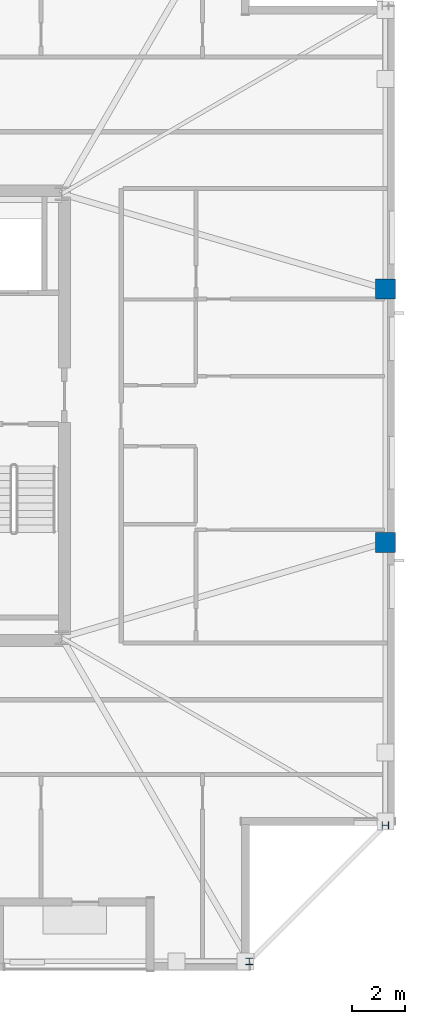
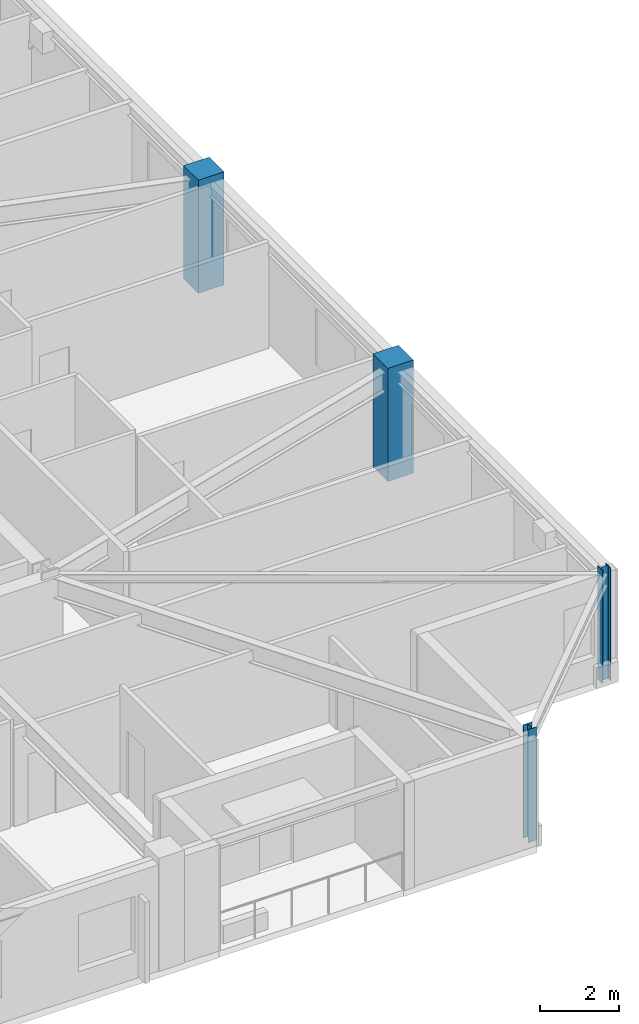
# One storey, part 3 of 15: 4 columns.
"""IFC4 building model written with IfcOpenShell, lengths in metres."""

from ifc_helpers import new_model, si_unit, direction, frame, origin, origin_2d, place, context, subcontext, project, spatial, rectangle, i_section, extrude, material, material_profile, profile_set, type_object, element, save


model = new_model("IFC4")

# Units and contexts
model_context = context("Model", 3, precision=1e-05, world=origin(), true_north=direction((0.0, 1.0)))
body_context = subcontext(model_context, "Body", "Model", "MODEL_VIEW")
ifc_project = project(units=[si_unit("LENGTHUNIT", "METRE"), si_unit("AREAUNIT", "SQUARE_METRE"), si_unit("VOLUMEUNIT", "CUBIC_METRE"), si_unit("PLANEANGLEUNIT", "RADIAN"), si_unit("MASSUNIT", "GRAM", prefix="KILO")], contexts=[model_context])

# Site, building, storey
site_placement = place(None, origin())
site = spatial("IfcSite", under=ifc_project, at=site_placement, CompositionType="ELEMENT")
building_placement = place(site_placement, origin())
building = spatial("IfcBuilding", under=site, at=building_placement, Name="Cairnveth Concourse Tower", CompositionType="ELEMENT")
storey_placement = place(building_placement, frame((0.0, 0.0, 284.0)))
storey = spatial("IfcBuildingStorey", under=building, at=storey_placement, Name="L78", CompositionType="ELEMENT", Elevation=284.0)

# Columns
ifc_material_1 = material(Name="Concrete N50 (50 MPa)", Category="concrete")
ifc_material_profile_1 = material_profile(ifc_material_1, rectangle(XDim=0.75, YDim=0.75, at=origin_2d()), Name="RC-COL-750x750")
ifc_profile_set_1 = profile_set([ifc_material_profile_1], Name="Concrete N50 (50 MPa)")
column_type_1 = type_object("IfcColumnType", Name="PERIMETER PIER COLUMN 750X750", PredefinedType="COLUMN", material=ifc_profile_set_1)
for number, where, z_axis, x_axis, name in (
    (1, (72.64990234375, 34.199951171875, 0.0), (0.0, 0.0, 1.0), (0.0, 1.0, 0.0), "Column P-E2 L78"),
    (2, (72.64990234375, 43.800048828125, 0.0), (0.0, 0.0, 1.0), (0.0, 1.0, 0.0), "Column P-E3 L78"),
):
    element("IfcColumn", number, at=place(storey_placement, frame(where, z_axis=z_axis, x_axis=x_axis)), inside=storey, type_object=column_type_1, Name=name, PredefinedType="COLUMN", context=body_context, shape_type="SweptSolid", body=[
        extrude(rectangle(XDim=0.75, YDim=0.75, at=origin_2d()), origin(), (0.0, 0.0, 1.0), 3.5),
    ])
ifc_material_2 = material(Name="Steel Grade 350", Category="steel")
ifc_material_profile_2 = material_profile(ifc_material_2, i_section(OverallWidth=0.25390625, OverallDepth=0.25390625, WebThickness=0.008544921875, FlangeThickness=0.01416015625, FilletRadius=0.012939453125, at=origin_2d()), Name="250UC72.9")
ifc_profile_set_2 = profile_set([ifc_material_profile_2], Name="Steel Grade 350")
column_type_2 = type_object("IfcColumnType", Name="UNIVERSAL STEEL COLUMN 250UC72.9", PredefinedType="COLUMN", material=ifc_profile_set_2)
for number, where, z_axis, x_axis, name in (
    (3, (67.5, 18.35009765625, 0.0), (0.0, 0.0, 1.0), (1.0, 0.0, 0.0), "Column P-S4 L78"),
    (4, (72.64990234375, 23.5, 0.0), (0.0, 0.0, 1.0), (0.0, 1.0, 0.0), "Column P-E1 L78"),
):
    element("IfcColumn", number, at=place(storey_placement, frame(where, z_axis=z_axis, x_axis=x_axis)), inside=storey, type_object=column_type_2, Name=name, PredefinedType="COLUMN", context=body_context, shape_type="SweptSolid", body=[
        extrude(i_section(OverallWidth=0.25390625, OverallDepth=0.25390625, WebThickness=0.008544921875, FlangeThickness=0.01416015625, FilletRadius=0.012939453125, at=origin_2d()), origin(), (0.0, 0.0, 1.0), 3.5),
    ])

save(model, "model.ifc")
